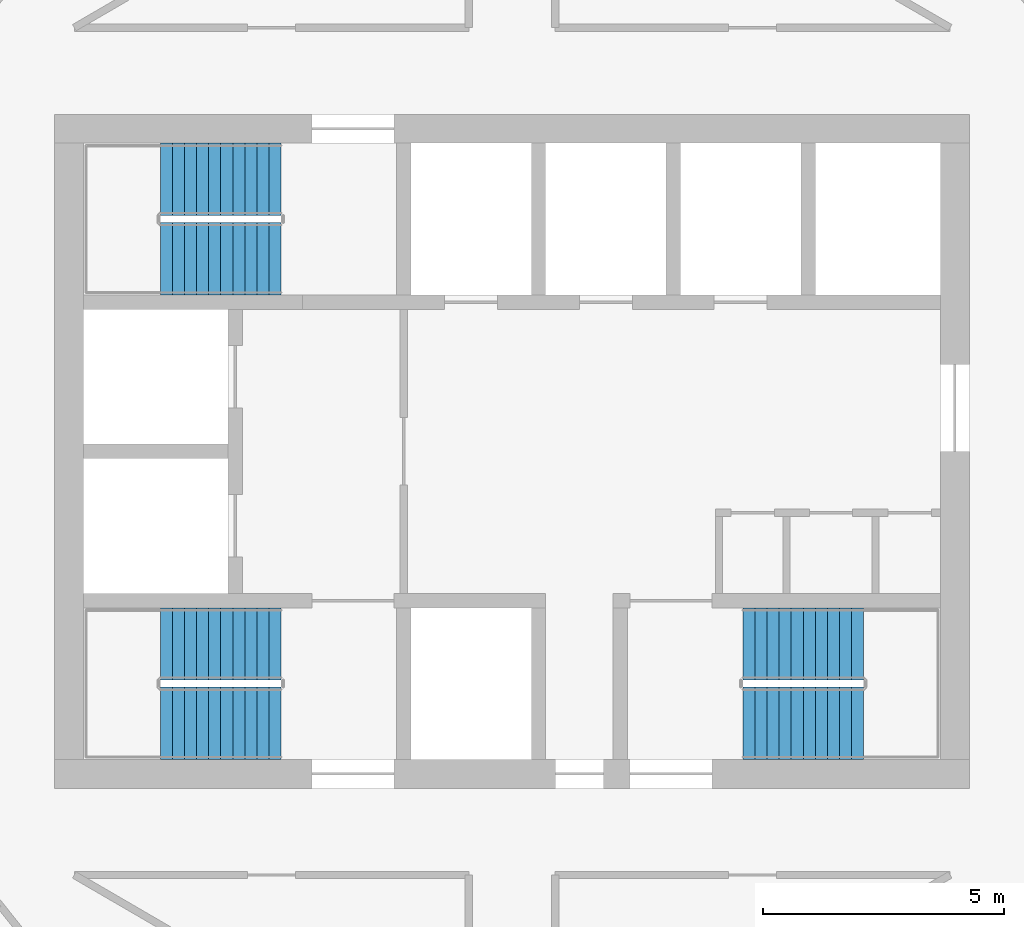
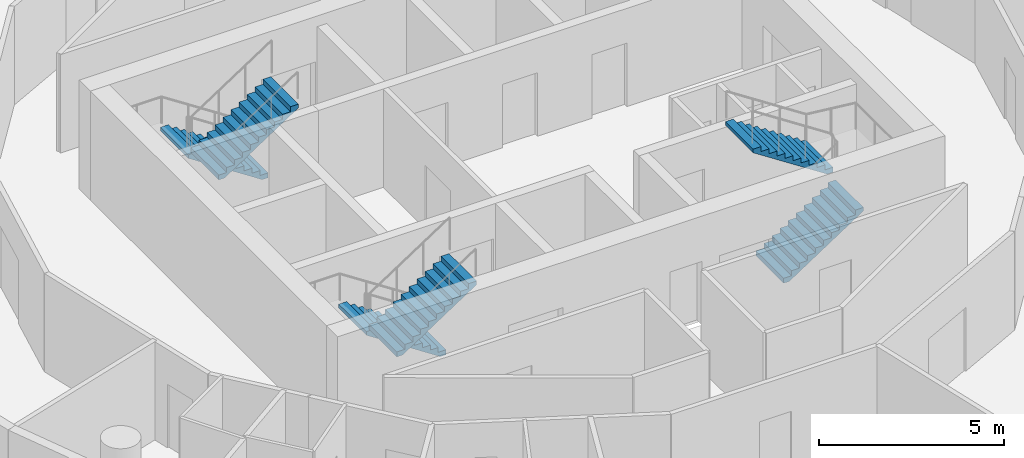
# One storey, part 12 of 13: 6 stair flights, 3 elements without a shape of their own.
"""IFC4 building model written with IfcOpenShell, lengths in metres."""

from ifc_helpers import new_model, si_unit, direction, frame, origin, place, context, subcontext, project, spatial, polyline, outline, extrude, material, type_object, element, aggregate, save


model = new_model("IFC4")

# Units and contexts
model_context = context("Model", 3, precision=1e-05, world=origin(), true_north=direction((0.0, 1.0)))
body_context = subcontext(model_context, "Body", "Model", "MODEL_VIEW")
ifc_project = project(units=[si_unit("LENGTHUNIT", "METRE"), si_unit("AREAUNIT", "SQUARE_METRE"), si_unit("VOLUMEUNIT", "CUBIC_METRE"), si_unit("PLANEANGLEUNIT", "RADIAN"), si_unit("MASSUNIT", "GRAM", prefix="KILO")], contexts=[model_context])

# Site, building, storey
site_placement = place(None, origin())
site = spatial("IfcSite", under=ifc_project, at=site_placement, CompositionType="ELEMENT")
building_placement = place(site_placement, origin())
building = spatial("IfcBuilding", under=site, at=building_placement, Name="Tracery Tower", CompositionType="ELEMENT")
storey_placement = place(building_placement, frame((0.0, 0.0, 256.199951171875)))
storey = spatial("IfcBuildingStorey", under=building, at=storey_placement, Name="L66", CompositionType="ELEMENT", Elevation=256.199951171875)

# Stair, stair flights
ifc_material_1 = material(Name="Concrete C32/40", Category="concrete")
stair_type = type_object("IfcStairType", Name="Core stair 22 risers", PredefinedType="HALF_TURN_STAIR", material=ifc_material_1)
stair_1_placement = place(storey_placement, origin())
stair_1 = element("IfcStair", 1, at=stair_1_placement, inside=storey, type_object=stair_type, Name="L66 stair ST1", PredefinedType="HALF_TURN_STAIR")
ifc_material_2 = material(Name="Concrete C32/40", Category="concrete")
stair_flight_type = type_object("IfcStairFlightType", Name="Core stair flight 11 risers", PredefinedType="STRAIGHT", material=ifc_material_2)
stair_flight_1_placement = place(storey_placement, frame((-4.800048828125, -4.0, 0.0), z_axis=(0.0, 0.0, 1.0), x_axis=(-1.0, 0.0, 0.0)))
stair_flight_1 = element("IfcStairFlight", 2, at=stair_flight_1_placement, type_object=stair_flight_type, Name="ST1 flight 1", NumberOfRisers=11, NumberOfTreads=10, PredefinedType="STRAIGHT", RiserHeight=0.163636364, TreadLength=0.25, context=body_context, shape_type="SweptSolid", body=[
    extrude(outline(polyline([(0.0, 0.0), (0.0, 0.002685546875), (0.0, 0.00537109375), (0.0, 0.008056640625), (0.0, 0.0107421875), (0.0, 0.013427734375), (0.0, 0.01611328125), (0.0, 0.018798828125), (0.0, 0.021484375), (0.0, 0.024169921875), (0.0, 0.02685546875), (0.0, 0.029541015625), (0.0, 0.0322265625), (0.0, 0.034912109375), (0.0, 0.03759765625), (0.0, 0.040283203125), (0.0, 0.04296875), (0.0, 0.045654296875), (0.0, 0.04833984375), (0.0, 0.051025390625), (0.0, 0.0537109375), (0.0, 0.056396484375), (0.0, 0.05908203125), (0.0, 0.061767578125), (0.0, 0.064453125), (0.0, 0.067138671875), (0.0, 0.06982421875), (0.0, 0.072509765625), (0.0, 0.0751953125), (0.0, 0.077880859375), (0.0, 0.08056640625), (0.0, 0.083251953125), (0.0, 0.0859375), (0.0, 0.088623046875), (0.0, 0.09130859375), (0.0, 0.093994140625), (0.0, 0.0966796875), (0.0, 0.099365234375), (0.0, 0.10205078125), (0.0, 0.104736328125), (0.0, 0.107421875), (0.0, 0.10986328125), (0.0, 0.112548828125), (0.0, 0.115234375), (0.0, 0.117919921875), (0.0, 0.12060546875), (0.0, 0.123291015625), (0.0, 0.1259765625), (0.0, 0.128662109375), (0.0, 0.13134765625), (0.0, 0.134033203125), (0.0, 0.13671875), (0.0, 0.139404296875), (0.0, 0.14208984375), (0.0, 0.144775390625), (0.0, 0.1474609375), (0.0, 0.150146484375), (0.0, 0.15283203125), (0.0, 0.155517578125), (0.0, 0.158203125), (0.0, 0.160888671875), (0.0, 0.16357421875), (0.25, 0.16357421875), (0.25, 0.327392578125), (0.5, 0.327392578125), (0.5, 0.490966796875), (0.75, 0.490966796875), (0.75, 0.654541015625), (1.0, 0.654541015625), (1.0, 0.818115234375), (1.25, 0.818115234375), (1.25, 0.98193359375), (1.5, 0.98193359375), (1.5, 1.1455078125), (1.75, 1.1455078125), (1.75, 1.30908203125), (2.0, 1.30908203125), (2.0, 1.47265625), (2.25, 1.47265625), (2.25, 1.636474609375), (2.5, 1.636474609375), (2.5, 1.634521484375), (2.5, 1.63232421875), (2.5, 1.63037109375), (2.5, 1.62841796875), (2.5, 1.62646484375), (2.5, 1.62451171875), (2.5, 1.62255859375), (2.5, 1.62060546875), (2.5, 1.61865234375), (2.5, 1.61669921875), (2.5, 1.61474609375), (2.5, 1.61279296875), (2.5, 1.61083984375), (2.5, 1.60888671875), (2.5, 1.60693359375), (2.5, 1.60498046875), (2.5, 1.60302734375), (2.5, 1.60107421875), (2.5, 1.59912109375), (2.5, 1.59716796875), (2.5, 1.59521484375), (2.5, 1.59326171875), (2.5, 1.59130859375), (2.5, 1.58935546875), (2.5, 1.58740234375), (2.5, 1.58544921875), (2.5, 1.58349609375), (2.5, 1.58154296875), (2.5, 1.57958984375), (2.5, 1.57763671875), (2.5, 1.57568359375), (2.5, 1.573486328125), (2.5, 1.571533203125), (2.5, 1.569580078125), (2.5, 1.567626953125), (2.5, 1.565673828125), (2.5, 1.563720703125), (2.5, 1.561767578125), (2.5, 1.559814453125), (2.5, 1.557861328125), (2.5, 1.555908203125), (2.5, 1.553955078125), (2.5, 1.552001953125), (2.5, 1.550048828125), (2.5, 1.548095703125), (2.5, 1.546142578125), (2.5, 1.544189453125), (2.5, 1.542236328125), (2.5, 1.540283203125), (2.5, 1.538330078125), (2.5, 1.536376953125), (2.5, 1.534423828125), (2.5, 1.532470703125), (2.5, 1.530517578125), (2.5, 1.528564453125), (2.5, 1.526611328125), (2.5, 1.524658203125), (2.5, 1.522705078125), (2.5, 1.520751953125), (2.5, 1.518798828125), (2.5, 1.516845703125), (0.182861328125, 0.0), (0.0, 0.0)])), frame((0.0, 0.75, 0.0), z_axis=(0.0, -1.0, 0.0), x_axis=(1.0, 0.0, 0.0)), (0.0, 0.0, 1.0), 1.5),
])
stair_flight_2_placement = place(storey_placement, frame((-7.300048828125, -5.64990234375, 1.800048828125), z_axis=(0.0, 0.0, 1.0), x_axis=(1.0, 0.0, 0.0)))
stair_flight_2 = element("IfcStairFlight", 3, at=stair_flight_2_placement, type_object=stair_flight_type, Name="ST1 flight 2", NumberOfRisers=11, NumberOfTreads=10, PredefinedType="STRAIGHT", RiserHeight=0.163636364, TreadLength=0.25, context=body_context, shape_type="SweptSolid", body=[
    extrude(outline(polyline([(0.0, 0.0), (0.0, 0.002685546875), (0.0, 0.00537109375), (0.0, 0.008056640625), (0.0, 0.0107421875), (0.0, 0.013427734375), (0.0, 0.01611328125), (0.0, 0.018798828125), (0.0, 0.021484375), (0.0, 0.024169921875), (0.0, 0.02685546875), (0.0, 0.029541015625), (0.0, 0.0322265625), (0.0, 0.034912109375), (0.0, 0.03759765625), (0.0, 0.040283203125), (0.0, 0.04296875), (0.0, 0.045654296875), (0.0, 0.04833984375), (0.0, 0.051025390625), (0.0, 0.0537109375), (0.0, 0.056396484375), (0.0, 0.05908203125), (0.0, 0.061767578125), (0.0, 0.064453125), (0.0, 0.067138671875), (0.0, 0.06982421875), (0.0, 0.072509765625), (0.0, 0.0751953125), (0.0, 0.077880859375), (0.0, 0.08056640625), (0.0, 0.083251953125), (0.0, 0.0859375), (0.0, 0.088623046875), (0.0, 0.09130859375), (0.0, 0.093994140625), (0.0, 0.0966796875), (0.0, 0.099365234375), (0.0, 0.10205078125), (0.0, 0.104736328125), (0.0, 0.107421875), (0.0, 0.10986328125), (0.0, 0.112548828125), (0.0, 0.115234375), (0.0, 0.117919921875), (0.0, 0.12060546875), (0.0, 0.123291015625), (0.0, 0.1259765625), (0.0, 0.128662109375), (0.0, 0.13134765625), (0.0, 0.134033203125), (0.0, 0.13671875), (0.0, 0.139404296875), (0.0, 0.14208984375), (0.0, 0.144775390625), (0.0, 0.1474609375), (0.0, 0.150146484375), (0.0, 0.15283203125), (0.0, 0.155517578125), (0.0, 0.158203125), (0.0, 0.160888671875), (0.0, 0.16357421875), (0.25, 0.16357421875), (0.25, 0.327392578125), (0.5, 0.327392578125), (0.5, 0.490966796875), (0.75, 0.490966796875), (0.75, 0.654541015625), (1.0, 0.654541015625), (1.0, 0.818115234375), (1.25, 0.818115234375), (1.25, 0.98193359375), (1.5, 0.98193359375), (1.5, 1.1455078125), (1.75, 1.1455078125), (1.75, 1.30908203125), (2.0, 1.30908203125), (2.0, 1.47265625), (2.25, 1.47265625), (2.25, 1.636474609375), (2.5, 1.636474609375), (2.5, 1.634521484375), (2.5, 1.63232421875), (2.5, 1.63037109375), (2.5, 1.62841796875), (2.5, 1.62646484375), (2.5, 1.62451171875), (2.5, 1.62255859375), (2.5, 1.62060546875), (2.5, 1.61865234375), (2.5, 1.61669921875), (2.5, 1.61474609375), (2.5, 1.61279296875), (2.5, 1.61083984375), (2.5, 1.60888671875), (2.5, 1.60693359375), (2.5, 1.60498046875), (2.5, 1.60302734375), (2.5, 1.60107421875), (2.5, 1.59912109375), (2.5, 1.59716796875), (2.5, 1.59521484375), (2.5, 1.59326171875), (2.5, 1.59130859375), (2.5, 1.58935546875), (2.5, 1.58740234375), (2.5, 1.58544921875), (2.5, 1.58349609375), (2.5, 1.58154296875), (2.5, 1.57958984375), (2.5, 1.57763671875), (2.5, 1.57568359375), (2.5, 1.573486328125), (2.5, 1.571533203125), (2.5, 1.569580078125), (2.5, 1.567626953125), (2.5, 1.565673828125), (2.5, 1.563720703125), (2.5, 1.561767578125), (2.5, 1.559814453125), (2.5, 1.557861328125), (2.5, 1.555908203125), (2.5, 1.553955078125), (2.5, 1.552001953125), (2.5, 1.550048828125), (2.5, 1.548095703125), (2.5, 1.546142578125), (2.5, 1.544189453125), (2.5, 1.542236328125), (2.5, 1.540283203125), (2.5, 1.538330078125), (2.5, 1.536376953125), (2.5, 1.534423828125), (2.5, 1.532470703125), (2.5, 1.530517578125), (2.5, 1.528564453125), (2.5, 1.526611328125), (2.5, 1.524658203125), (2.5, 1.522705078125), (2.5, 1.520751953125), (2.5, 1.518798828125), (2.5, 1.516845703125), (0.182861328125, 0.0), (0.0, 0.0)])), frame((0.0, 0.75, 0.0), z_axis=(0.0, -1.0, 0.0), x_axis=(1.0, 0.0, 0.0)), (0.0, 0.0, 1.0), 1.5),
])
aggregate(stair_1, [stair_flight_1, stair_flight_2])

stair_2_placement = place(storey_placement, origin())
stair_2 = element("IfcStair", 4, at=stair_2_placement, inside=storey, type_object=stair_type, Name="L66 stair ST3", PredefinedType="HALF_TURN_STAIR")
stair_flight_3_placement = place(storey_placement, frame((-4.800048828125, 5.64990234375, 0.0), z_axis=(0.0, 0.0, 1.0), x_axis=(-1.0, 0.0, 0.0)))
stair_flight_3 = element("IfcStairFlight", 5, at=stair_flight_3_placement, type_object=stair_flight_type, Name="ST3 flight 1", NumberOfRisers=11, NumberOfTreads=10, PredefinedType="STRAIGHT", RiserHeight=0.163636364, TreadLength=0.25, context=body_context, shape_type="SweptSolid", body=[
    extrude(outline(polyline([(0.0, 0.0), (0.0, 0.002685546875), (0.0, 0.00537109375), (0.0, 0.008056640625), (0.0, 0.0107421875), (0.0, 0.013427734375), (0.0, 0.01611328125), (0.0, 0.018798828125), (0.0, 0.021484375), (0.0, 0.024169921875), (0.0, 0.02685546875), (0.0, 0.029541015625), (0.0, 0.0322265625), (0.0, 0.034912109375), (0.0, 0.03759765625), (0.0, 0.040283203125), (0.0, 0.04296875), (0.0, 0.045654296875), (0.0, 0.04833984375), (0.0, 0.051025390625), (0.0, 0.0537109375), (0.0, 0.056396484375), (0.0, 0.05908203125), (0.0, 0.061767578125), (0.0, 0.064453125), (0.0, 0.067138671875), (0.0, 0.06982421875), (0.0, 0.072509765625), (0.0, 0.0751953125), (0.0, 0.077880859375), (0.0, 0.08056640625), (0.0, 0.083251953125), (0.0, 0.0859375), (0.0, 0.088623046875), (0.0, 0.09130859375), (0.0, 0.093994140625), (0.0, 0.0966796875), (0.0, 0.099365234375), (0.0, 0.10205078125), (0.0, 0.104736328125), (0.0, 0.107421875), (0.0, 0.10986328125), (0.0, 0.112548828125), (0.0, 0.115234375), (0.0, 0.117919921875), (0.0, 0.12060546875), (0.0, 0.123291015625), (0.0, 0.1259765625), (0.0, 0.128662109375), (0.0, 0.13134765625), (0.0, 0.134033203125), (0.0, 0.13671875), (0.0, 0.139404296875), (0.0, 0.14208984375), (0.0, 0.144775390625), (0.0, 0.1474609375), (0.0, 0.150146484375), (0.0, 0.15283203125), (0.0, 0.155517578125), (0.0, 0.158203125), (0.0, 0.160888671875), (0.0, 0.16357421875), (0.25, 0.16357421875), (0.25, 0.327392578125), (0.5, 0.327392578125), (0.5, 0.490966796875), (0.75, 0.490966796875), (0.75, 0.654541015625), (1.0, 0.654541015625), (1.0, 0.818115234375), (1.25, 0.818115234375), (1.25, 0.98193359375), (1.5, 0.98193359375), (1.5, 1.1455078125), (1.75, 1.1455078125), (1.75, 1.30908203125), (2.0, 1.30908203125), (2.0, 1.47265625), (2.25, 1.47265625), (2.25, 1.636474609375), (2.5, 1.636474609375), (2.5, 1.634521484375), (2.5, 1.63232421875), (2.5, 1.63037109375), (2.5, 1.62841796875), (2.5, 1.62646484375), (2.5, 1.62451171875), (2.5, 1.62255859375), (2.5, 1.62060546875), (2.5, 1.61865234375), (2.5, 1.61669921875), (2.5, 1.61474609375), (2.5, 1.61279296875), (2.5, 1.61083984375), (2.5, 1.60888671875), (2.5, 1.60693359375), (2.5, 1.60498046875), (2.5, 1.60302734375), (2.5, 1.60107421875), (2.5, 1.59912109375), (2.5, 1.59716796875), (2.5, 1.59521484375), (2.5, 1.59326171875), (2.5, 1.59130859375), (2.5, 1.58935546875), (2.5, 1.58740234375), (2.5, 1.58544921875), (2.5, 1.58349609375), (2.5, 1.58154296875), (2.5, 1.57958984375), (2.5, 1.57763671875), (2.5, 1.57568359375), (2.5, 1.573486328125), (2.5, 1.571533203125), (2.5, 1.569580078125), (2.5, 1.567626953125), (2.5, 1.565673828125), (2.5, 1.563720703125), (2.5, 1.561767578125), (2.5, 1.559814453125), (2.5, 1.557861328125), (2.5, 1.555908203125), (2.5, 1.553955078125), (2.5, 1.552001953125), (2.5, 1.550048828125), (2.5, 1.548095703125), (2.5, 1.546142578125), (2.5, 1.544189453125), (2.5, 1.542236328125), (2.5, 1.540283203125), (2.5, 1.538330078125), (2.5, 1.536376953125), (2.5, 1.534423828125), (2.5, 1.532470703125), (2.5, 1.530517578125), (2.5, 1.528564453125), (2.5, 1.526611328125), (2.5, 1.524658203125), (2.5, 1.522705078125), (2.5, 1.520751953125), (2.5, 1.518798828125), (2.5, 1.516845703125), (0.182861328125, 0.0), (0.0, 0.0)])), frame((0.0, 0.75, 0.0), z_axis=(0.0, -1.0, 0.0), x_axis=(1.0, 0.0, 0.0)), (0.0, 0.0, 1.0), 1.5),
])
stair_flight_4_placement = place(storey_placement, frame((-7.300048828125, 4.0, 1.800048828125), z_axis=(0.0, 0.0, 1.0), x_axis=(1.0, 0.0, 0.0)))
stair_flight_4 = element("IfcStairFlight", 6, at=stair_flight_4_placement, type_object=stair_flight_type, Name="ST3 flight 2", NumberOfRisers=11, NumberOfTreads=10, PredefinedType="STRAIGHT", RiserHeight=0.163636364, TreadLength=0.25, context=body_context, shape_type="SweptSolid", body=[
    extrude(outline(polyline([(0.0, 0.0), (0.0, 0.002685546875), (0.0, 0.00537109375), (0.0, 0.008056640625), (0.0, 0.0107421875), (0.0, 0.013427734375), (0.0, 0.01611328125), (0.0, 0.018798828125), (0.0, 0.021484375), (0.0, 0.024169921875), (0.0, 0.02685546875), (0.0, 0.029541015625), (0.0, 0.0322265625), (0.0, 0.034912109375), (0.0, 0.03759765625), (0.0, 0.040283203125), (0.0, 0.04296875), (0.0, 0.045654296875), (0.0, 0.04833984375), (0.0, 0.051025390625), (0.0, 0.0537109375), (0.0, 0.056396484375), (0.0, 0.05908203125), (0.0, 0.061767578125), (0.0, 0.064453125), (0.0, 0.067138671875), (0.0, 0.06982421875), (0.0, 0.072509765625), (0.0, 0.0751953125), (0.0, 0.077880859375), (0.0, 0.08056640625), (0.0, 0.083251953125), (0.0, 0.0859375), (0.0, 0.088623046875), (0.0, 0.09130859375), (0.0, 0.093994140625), (0.0, 0.0966796875), (0.0, 0.099365234375), (0.0, 0.10205078125), (0.0, 0.104736328125), (0.0, 0.107421875), (0.0, 0.10986328125), (0.0, 0.112548828125), (0.0, 0.115234375), (0.0, 0.117919921875), (0.0, 0.12060546875), (0.0, 0.123291015625), (0.0, 0.1259765625), (0.0, 0.128662109375), (0.0, 0.13134765625), (0.0, 0.134033203125), (0.0, 0.13671875), (0.0, 0.139404296875), (0.0, 0.14208984375), (0.0, 0.144775390625), (0.0, 0.1474609375), (0.0, 0.150146484375), (0.0, 0.15283203125), (0.0, 0.155517578125), (0.0, 0.158203125), (0.0, 0.160888671875), (0.0, 0.16357421875), (0.25, 0.16357421875), (0.25, 0.327392578125), (0.5, 0.327392578125), (0.5, 0.490966796875), (0.75, 0.490966796875), (0.75, 0.654541015625), (1.0, 0.654541015625), (1.0, 0.818115234375), (1.25, 0.818115234375), (1.25, 0.98193359375), (1.5, 0.98193359375), (1.5, 1.1455078125), (1.75, 1.1455078125), (1.75, 1.30908203125), (2.0, 1.30908203125), (2.0, 1.47265625), (2.25, 1.47265625), (2.25, 1.636474609375), (2.5, 1.636474609375), (2.5, 1.634521484375), (2.5, 1.63232421875), (2.5, 1.63037109375), (2.5, 1.62841796875), (2.5, 1.62646484375), (2.5, 1.62451171875), (2.5, 1.62255859375), (2.5, 1.62060546875), (2.5, 1.61865234375), (2.5, 1.61669921875), (2.5, 1.61474609375), (2.5, 1.61279296875), (2.5, 1.61083984375), (2.5, 1.60888671875), (2.5, 1.60693359375), (2.5, 1.60498046875), (2.5, 1.60302734375), (2.5, 1.60107421875), (2.5, 1.59912109375), (2.5, 1.59716796875), (2.5, 1.59521484375), (2.5, 1.59326171875), (2.5, 1.59130859375), (2.5, 1.58935546875), (2.5, 1.58740234375), (2.5, 1.58544921875), (2.5, 1.58349609375), (2.5, 1.58154296875), (2.5, 1.57958984375), (2.5, 1.57763671875), (2.5, 1.57568359375), (2.5, 1.573486328125), (2.5, 1.571533203125), (2.5, 1.569580078125), (2.5, 1.567626953125), (2.5, 1.565673828125), (2.5, 1.563720703125), (2.5, 1.561767578125), (2.5, 1.559814453125), (2.5, 1.557861328125), (2.5, 1.555908203125), (2.5, 1.553955078125), (2.5, 1.552001953125), (2.5, 1.550048828125), (2.5, 1.548095703125), (2.5, 1.546142578125), (2.5, 1.544189453125), (2.5, 1.542236328125), (2.5, 1.540283203125), (2.5, 1.538330078125), (2.5, 1.536376953125), (2.5, 1.534423828125), (2.5, 1.532470703125), (2.5, 1.530517578125), (2.5, 1.528564453125), (2.5, 1.526611328125), (2.5, 1.524658203125), (2.5, 1.522705078125), (2.5, 1.520751953125), (2.5, 1.518798828125), (2.5, 1.516845703125), (0.182861328125, 0.0), (0.0, 0.0)])), frame((0.0, 0.75, 0.0), z_axis=(0.0, -1.0, 0.0), x_axis=(1.0, 0.0, 0.0)), (0.0, 0.0, 1.0), 1.5),
])
aggregate(stair_2, [stair_flight_3, stair_flight_4])

stair_3_placement = place(storey_placement, origin())
stair_3 = element("IfcStair", 7, at=stair_3_placement, inside=storey, type_object=stair_type, Name="L66 stair ST2", PredefinedType="HALF_TURN_STAIR")
stair_flight_5_placement = place(storey_placement, frame((4.800048828125, -5.64990234375, 0.0), z_axis=(0.0, 0.0, 1.0), x_axis=(1.0, 0.0, 0.0)))
stair_flight_5 = element("IfcStairFlight", 8, at=stair_flight_5_placement, type_object=stair_flight_type, Name="ST2 flight 1", NumberOfRisers=11, NumberOfTreads=10, PredefinedType="STRAIGHT", RiserHeight=0.163636364, TreadLength=0.25, context=body_context, shape_type="SweptSolid", body=[
    extrude(outline(polyline([(0.0, 0.0), (0.0, 0.002685546875), (0.0, 0.00537109375), (0.0, 0.008056640625), (0.0, 0.0107421875), (0.0, 0.013427734375), (0.0, 0.01611328125), (0.0, 0.018798828125), (0.0, 0.021484375), (0.0, 0.024169921875), (0.0, 0.02685546875), (0.0, 0.029541015625), (0.0, 0.0322265625), (0.0, 0.034912109375), (0.0, 0.03759765625), (0.0, 0.040283203125), (0.0, 0.04296875), (0.0, 0.045654296875), (0.0, 0.04833984375), (0.0, 0.051025390625), (0.0, 0.0537109375), (0.0, 0.056396484375), (0.0, 0.05908203125), (0.0, 0.061767578125), (0.0, 0.064453125), (0.0, 0.067138671875), (0.0, 0.06982421875), (0.0, 0.072509765625), (0.0, 0.0751953125), (0.0, 0.077880859375), (0.0, 0.08056640625), (0.0, 0.083251953125), (0.0, 0.0859375), (0.0, 0.088623046875), (0.0, 0.09130859375), (0.0, 0.093994140625), (0.0, 0.0966796875), (0.0, 0.099365234375), (0.0, 0.10205078125), (0.0, 0.104736328125), (0.0, 0.107421875), (0.0, 0.10986328125), (0.0, 0.112548828125), (0.0, 0.115234375), (0.0, 0.117919921875), (0.0, 0.12060546875), (0.0, 0.123291015625), (0.0, 0.1259765625), (0.0, 0.128662109375), (0.0, 0.13134765625), (0.0, 0.134033203125), (0.0, 0.13671875), (0.0, 0.139404296875), (0.0, 0.14208984375), (0.0, 0.144775390625), (0.0, 0.1474609375), (0.0, 0.150146484375), (0.0, 0.15283203125), (0.0, 0.155517578125), (0.0, 0.158203125), (0.0, 0.160888671875), (0.0, 0.16357421875), (0.25, 0.16357421875), (0.25, 0.327392578125), (0.5, 0.327392578125), (0.5, 0.490966796875), (0.75, 0.490966796875), (0.75, 0.654541015625), (1.0, 0.654541015625), (1.0, 0.818115234375), (1.25, 0.818115234375), (1.25, 0.98193359375), (1.5, 0.98193359375), (1.5, 1.1455078125), (1.75, 1.1455078125), (1.75, 1.30908203125), (2.0, 1.30908203125), (2.0, 1.47265625), (2.25, 1.47265625), (2.25, 1.636474609375), (2.5, 1.636474609375), (2.5, 1.634521484375), (2.5, 1.63232421875), (2.5, 1.63037109375), (2.5, 1.62841796875), (2.5, 1.62646484375), (2.5, 1.62451171875), (2.5, 1.62255859375), (2.5, 1.62060546875), (2.5, 1.61865234375), (2.5, 1.61669921875), (2.5, 1.61474609375), (2.5, 1.61279296875), (2.5, 1.61083984375), (2.5, 1.60888671875), (2.5, 1.60693359375), (2.5, 1.60498046875), (2.5, 1.60302734375), (2.5, 1.60107421875), (2.5, 1.59912109375), (2.5, 1.59716796875), (2.5, 1.59521484375), (2.5, 1.59326171875), (2.5, 1.59130859375), (2.5, 1.58935546875), (2.5, 1.58740234375), (2.5, 1.58544921875), (2.5, 1.58349609375), (2.5, 1.58154296875), (2.5, 1.57958984375), (2.5, 1.57763671875), (2.5, 1.57568359375), (2.5, 1.573486328125), (2.5, 1.571533203125), (2.5, 1.569580078125), (2.5, 1.567626953125), (2.5, 1.565673828125), (2.5, 1.563720703125), (2.5, 1.561767578125), (2.5, 1.559814453125), (2.5, 1.557861328125), (2.5, 1.555908203125), (2.5, 1.553955078125), (2.5, 1.552001953125), (2.5, 1.550048828125), (2.5, 1.548095703125), (2.5, 1.546142578125), (2.5, 1.544189453125), (2.5, 1.542236328125), (2.5, 1.540283203125), (2.5, 1.538330078125), (2.5, 1.536376953125), (2.5, 1.534423828125), (2.5, 1.532470703125), (2.5, 1.530517578125), (2.5, 1.528564453125), (2.5, 1.526611328125), (2.5, 1.524658203125), (2.5, 1.522705078125), (2.5, 1.520751953125), (2.5, 1.518798828125), (2.5, 1.516845703125), (0.182861328125, 0.0), (0.0, 0.0)])), frame((0.0, 0.75, 0.0), z_axis=(0.0, -1.0, 0.0), x_axis=(1.0, 0.0, 0.0)), (0.0, 0.0, 1.0), 1.5),
])
stair_flight_6_placement = place(storey_placement, frame((7.300048828125, -4.0, 1.800048828125), z_axis=(0.0, 0.0, 1.0), x_axis=(-1.0, 0.0, 0.0)))
stair_flight_6 = element("IfcStairFlight", 9, at=stair_flight_6_placement, type_object=stair_flight_type, Name="ST2 flight 2", NumberOfRisers=11, NumberOfTreads=10, PredefinedType="STRAIGHT", RiserHeight=0.163636364, TreadLength=0.25, context=body_context, shape_type="SweptSolid", body=[
    extrude(outline(polyline([(0.0, 0.0), (0.0, 0.002685546875), (0.0, 0.00537109375), (0.0, 0.008056640625), (0.0, 0.0107421875), (0.0, 0.013427734375), (0.0, 0.01611328125), (0.0, 0.018798828125), (0.0, 0.021484375), (0.0, 0.024169921875), (0.0, 0.02685546875), (0.0, 0.029541015625), (0.0, 0.0322265625), (0.0, 0.034912109375), (0.0, 0.03759765625), (0.0, 0.040283203125), (0.0, 0.04296875), (0.0, 0.045654296875), (0.0, 0.04833984375), (0.0, 0.051025390625), (0.0, 0.0537109375), (0.0, 0.056396484375), (0.0, 0.05908203125), (0.0, 0.061767578125), (0.0, 0.064453125), (0.0, 0.067138671875), (0.0, 0.06982421875), (0.0, 0.072509765625), (0.0, 0.0751953125), (0.0, 0.077880859375), (0.0, 0.08056640625), (0.0, 0.083251953125), (0.0, 0.0859375), (0.0, 0.088623046875), (0.0, 0.09130859375), (0.0, 0.093994140625), (0.0, 0.0966796875), (0.0, 0.099365234375), (0.0, 0.10205078125), (0.0, 0.104736328125), (0.0, 0.107421875), (0.0, 0.10986328125), (0.0, 0.112548828125), (0.0, 0.115234375), (0.0, 0.117919921875), (0.0, 0.12060546875), (0.0, 0.123291015625), (0.0, 0.1259765625), (0.0, 0.128662109375), (0.0, 0.13134765625), (0.0, 0.134033203125), (0.0, 0.13671875), (0.0, 0.139404296875), (0.0, 0.14208984375), (0.0, 0.144775390625), (0.0, 0.1474609375), (0.0, 0.150146484375), (0.0, 0.15283203125), (0.0, 0.155517578125), (0.0, 0.158203125), (0.0, 0.160888671875), (0.0, 0.16357421875), (0.25, 0.16357421875), (0.25, 0.327392578125), (0.5, 0.327392578125), (0.5, 0.490966796875), (0.75, 0.490966796875), (0.75, 0.654541015625), (1.0, 0.654541015625), (1.0, 0.818115234375), (1.25, 0.818115234375), (1.25, 0.98193359375), (1.5, 0.98193359375), (1.5, 1.1455078125), (1.75, 1.1455078125), (1.75, 1.30908203125), (2.0, 1.30908203125), (2.0, 1.47265625), (2.25, 1.47265625), (2.25, 1.636474609375), (2.5, 1.636474609375), (2.5, 1.634521484375), (2.5, 1.63232421875), (2.5, 1.63037109375), (2.5, 1.62841796875), (2.5, 1.62646484375), (2.5, 1.62451171875), (2.5, 1.62255859375), (2.5, 1.62060546875), (2.5, 1.61865234375), (2.5, 1.61669921875), (2.5, 1.61474609375), (2.5, 1.61279296875), (2.5, 1.61083984375), (2.5, 1.60888671875), (2.5, 1.60693359375), (2.5, 1.60498046875), (2.5, 1.60302734375), (2.5, 1.60107421875), (2.5, 1.59912109375), (2.5, 1.59716796875), (2.5, 1.59521484375), (2.5, 1.59326171875), (2.5, 1.59130859375), (2.5, 1.58935546875), (2.5, 1.58740234375), (2.5, 1.58544921875), (2.5, 1.58349609375), (2.5, 1.58154296875), (2.5, 1.57958984375), (2.5, 1.57763671875), (2.5, 1.57568359375), (2.5, 1.573486328125), (2.5, 1.571533203125), (2.5, 1.569580078125), (2.5, 1.567626953125), (2.5, 1.565673828125), (2.5, 1.563720703125), (2.5, 1.561767578125), (2.5, 1.559814453125), (2.5, 1.557861328125), (2.5, 1.555908203125), (2.5, 1.553955078125), (2.5, 1.552001953125), (2.5, 1.550048828125), (2.5, 1.548095703125), (2.5, 1.546142578125), (2.5, 1.544189453125), (2.5, 1.542236328125), (2.5, 1.540283203125), (2.5, 1.538330078125), (2.5, 1.536376953125), (2.5, 1.534423828125), (2.5, 1.532470703125), (2.5, 1.530517578125), (2.5, 1.528564453125), (2.5, 1.526611328125), (2.5, 1.524658203125), (2.5, 1.522705078125), (2.5, 1.520751953125), (2.5, 1.518798828125), (2.5, 1.516845703125), (0.182861328125, 0.0), (0.0, 0.0)])), frame((0.0, 0.75, 0.0), z_axis=(0.0, -1.0, 0.0), x_axis=(1.0, 0.0, 0.0)), (0.0, 0.0, 1.0), 1.5),
])
aggregate(stair_3, [stair_flight_5, stair_flight_6])

save(model, "model.ifc")
